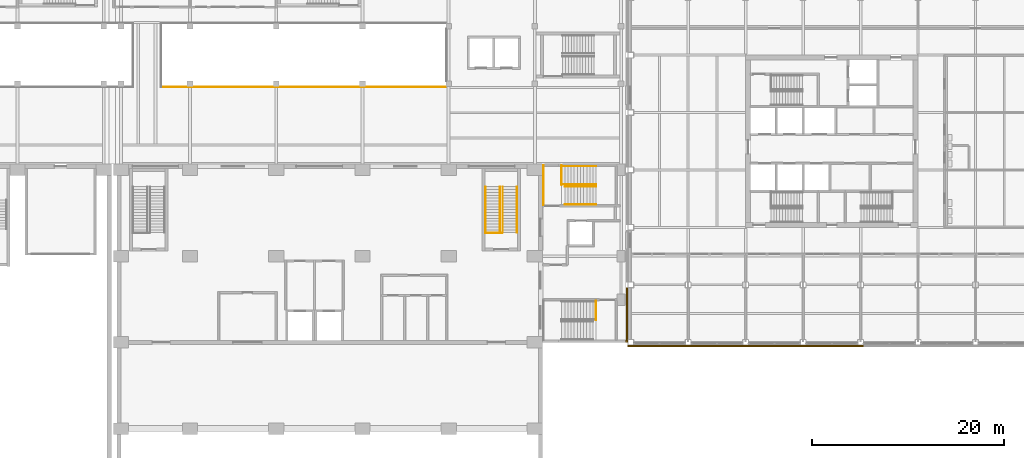
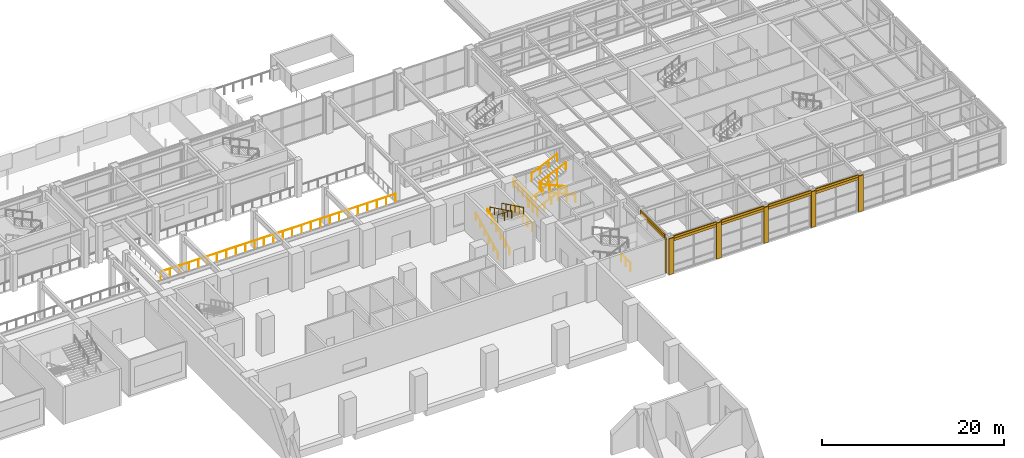
# One storey, part 59 of 67: 16 coverings, 16 railings.
"""IFC4 building model written with IfcOpenShell, lengths in metres."""

import ifcopenshell
import ifcopenshell.guid

model = None  # the IFC model being written
_history = None  # IfcOwnerHistory: only IFC2X3 demands one
_inside = {}  # id of a spatial element -> (the spatial element, [elements in it])
_under = {}  # id of a project, library or spatial element -> (it, [spatial elements below it])
_declared = {}  # id of a project -> (the project, [libraries it declares])
_typed = {}  # id of a type object -> (the type object, [elements of that type])
_made_of = {}  # id of a material, layer set ... -> (it, [elements and type objects made of it])


def new_model(schema):
    """Start an empty IFC model of exactly this schema.

    Asked for "IFC4X3", IfcOpenShell would pick the latest addendum, in which some entities
    have other attributes; the version numbers below select the first issue.
    IFC2X3 requires an IfcOwnerHistory on every rooted entity: one is made here for all.
    """
    global model, _history
    if schema == "IFC4X3":
        model = ifcopenshell.file(schema_version=(4, 3, 0, 0))
    else:
        model = ifcopenshell.file(schema=schema)
    _inside.clear()
    _under.clear()
    _declared.clear()
    _typed.clear()
    _made_of.clear()
    _history = None
    if model.schema == "IFC2X3":
        org = make("IfcOrganization", Name="unknown")
        user = make(
            "IfcPersonAndOrganization",
            ThePerson=make("IfcPerson", FamilyName="unknown"),
            TheOrganization=org,
        )
        app = make(
            "IfcApplication",
            ApplicationDeveloper=org,
            Version="unknown",
            ApplicationFullName="unknown",
            ApplicationIdentifier="unknown",
        )
        _history = make(
            "IfcOwnerHistory",
            OwningUser=user,
            OwningApplication=app,
            ChangeAction="ADDED",
            CreationDate=0,
        )
    return model


def make(cls, **values):
    """One entity of the class cls with the attributes given. An attribute that is None is left unset."""
    return model.create_entity(
        cls, **{name: value for name, value in values.items() if value is not None}
    )


def rooted(cls, **values):
    """An entity with a GlobalId (a new one), such as an element, a storey or a relation."""
    return make(cls, GlobalId=ifcopenshell.guid.new(), OwnerHistory=_history, **values)


def si_unit(unit_type, name, prefix=None):
    """IfcSIUnit, for example si_unit("LENGTHUNIT", "METRE", prefix="MILLI")."""
    return make("IfcSIUnit", UnitType=unit_type, Prefix=prefix, Name=name)


def assignment(units):
    """IfcUnitAssignment: the units of a project."""
    return None if units is None else make("IfcUnitAssignment", Units=units)


def point(xyz):
    """IfcCartesianPoint."""
    return None if xyz is None else make("IfcCartesianPoint", Coordinates=xyz)


def direction(xyz):
    """IfcDirection."""
    return None if xyz is None else make("IfcDirection", DirectionRatios=xyz)


def frame(location, z_axis=None, x_axis=None):
    """IfcAxis2Placement3D, a coordinate frame: its origin and axes. An axis left out is left unset."""
    return make(
        "IfcAxis2Placement3D",
        Location=point(location),
        Axis=direction(z_axis),
        RefDirection=direction(x_axis),
    )


def frame_2d(location, x_axis=None):
    """IfcAxis2Placement2D, a coordinate frame in the plane: its origin and x axis."""
    return make(
        "IfcAxis2Placement2D", Location=point(location), RefDirection=direction(x_axis)
    )


def origin():
    """The frame at (0, 0, 0) with its axes left unset."""
    return frame((0.0, 0.0, 0.0))


def origin_2d():
    """The frame at (0, 0) in the plane with its x axis left unset."""
    return frame_2d((0.0, 0.0))


def place(relative_to, where):
    """IfcLocalPlacement: puts the frame where relative to a parent placement (None: the world)."""
    return make(
        "IfcLocalPlacement", PlacementRelTo=relative_to, RelativePlacement=where
    )


def context(
    kind, dimensions, precision=None, world=None, true_north=None, identifier=None
):
    """IfcGeometricRepresentationContext, for example the 3D "Model" context."""
    return make(
        "IfcGeometricRepresentationContext",
        ContextIdentifier=identifier,
        ContextType=kind,
        CoordinateSpaceDimension=dimensions,
        Precision=precision,
        WorldCoordinateSystem=world,
        TrueNorth=true_north,
    )


def subcontext(parent, identifier, kind, view, scale=None):
    """IfcGeometricRepresentationSubContext, for example "Body" below "Model"."""
    return make(
        "IfcGeometricRepresentationSubContext",
        ContextIdentifier=identifier,
        ContextType=kind,
        ParentContext=parent,
        TargetScale=scale,
        TargetView=view,
    )


def project(units=None, contexts=None):
    """IfcProject with its units and contexts."""
    return rooted(
        "IfcProject",
        Name="project",
        RepresentationContexts=contexts,
        UnitsInContext=assignment(units),
    )


def spatial(cls, under=None, at=None, **own):
    """A site, building, storey or space (cls), placed at a placement, below another one or the project."""
    s = rooted(cls, ObjectPlacement=at, **own)
    if under is not None:
        _under.setdefault(under.id(), (under, []))[1].append(s)
    return s


def polyline(points):
    """IfcPolyline through the points."""
    return make("IfcPolyline", Points=[point(p) for p in points])


def profile(cls, at=None, kind="AREA", **sizes):
    """A parametric profile (cls). Its sizes go by their IFC names, for example OverallWidth=200.0."""
    return make(cls, ProfileType=kind, Position=at, **sizes)


def circle(**sizes):
    """IfcCircleProfileDef."""
    return profile("IfcCircleProfileDef", **sizes)


def outline(outer, holes=None, kind="AREA"):
    """IfcArbitraryClosedProfileDef: a profile drawn as a closed curve; with holes, ...WithVoids."""
    if holes is None:
        return make("IfcArbitraryClosedProfileDef", ProfileType=kind, OuterCurve=outer)
    return make(
        "IfcArbitraryProfileDefWithVoids",
        ProfileType=kind,
        OuterCurve=outer,
        InnerCurves=holes,
    )


def extrude(swept, where, along, depth):
    """IfcExtrudedAreaSolid: the profile swept, set in the frame where, extruded along a direction by depth."""
    return make(
        "IfcExtrudedAreaSolid",
        SweptArea=swept,
        Position=where,
        ExtrudedDirection=direction(along),
        Depth=depth,
    )


def shape(context_of_items, identifier, shape_type, items):
    """IfcShapeRepresentation: the items that make up one representation, for example the "Body"."""
    return make(
        "IfcShapeRepresentation",
        ContextOfItems=context_of_items,
        RepresentationIdentifier=identifier,
        RepresentationType=shape_type,
        Items=items,
    )


def material(Name=None, Category=None):
    """IfcMaterial."""
    return make("IfcMaterial", Name=Name, Category=Category)


def layer(
    of_material, thickness, ventilated=None, Name=None, Category=None, Priority=None
):
    """IfcMaterialLayer: one layer of a wall or slab, of a material (None: an air gap)."""
    return make(
        "IfcMaterialLayer",
        Material=of_material,
        LayerThickness=thickness,
        IsVentilated=ventilated,
        Name=Name,
        Category=Category,
        Priority=Priority,
    )


def layer_set(layers, Name=None):
    """IfcMaterialLayerSet."""
    return make("IfcMaterialLayerSet", MaterialLayers=layers, LayerSetName=Name)


def made_of(thing, what):
    """Note that an element or type object is made of a material, layer set ...; save() writes the relation."""
    if what is not None:
        _made_of.setdefault(what.id(), (what, []))[1].append(thing)
    return thing


def type_object(cls, material=None, **own):
    """A type object (cls), such as IfcWallType, which elements share."""
    return made_of(rooted(cls, **own), material)


def element(
    cls,
    number,
    at=None,
    inside=None,
    cuts=None,
    type_object=None,
    material=None,
    context=None,
    identifier="Body",
    shape_type=None,
    held_by="IfcProductDefinitionShape",
    body=None,
    shapes=None,
    **own,
):
    """One element of the class cls, such as IfcWall. Its Tag is "e" and its number.

    at: its placement. inside: the storey or other place that contains it. cuts: it is an
    opening in that element (IfcRelVoidsElement). A single representation is given by context,
    identifier, shape_type and body (its items); several are given by shapes. held_by: the class
    of the entity that holds the representations. save() writes the other relations.
    """
    e = rooted(cls, Tag="e%d" % number, ObjectPlacement=at, **own)
    if body is not None:
        shapes = [shape(context, identifier, shape_type, body)]
    if shapes is not None:
        e.Representation = make(held_by, Representations=shapes)
    if inside is not None:
        _inside.setdefault(inside.id(), (inside, []))[1].append(e)
    if cuts is not None:
        rooted(
            "IfcRelVoidsElement", RelatingBuildingElement=cuts, RelatedOpeningElement=e
        )
    if type_object is not None:
        _typed.setdefault(type_object.id(), (type_object, []))[1].append(e)
    return made_of(e, material)


def aggregate(whole, parts):
    """IfcRelAggregates: a whole, such as a stair, and the parts it consists of."""
    return rooted("IfcRelAggregates", RelatingObject=whole, RelatedObjects=parts)


def save(model, path):
    """Write the relations noted so far, then the file.

    IfcRelAggregates (storeys below a building ...), IfcRelContainedInSpatialStructure (elements
    in a storey), IfcRelDefinesByType, IfcRelAssociatesMaterial and IfcRelDeclares: one each for
    every whole, place, type object, material and project.
    """
    for whole, parts in _under.values():
        aggregate(whole, parts)
    for where, things in _inside.values():
        rooted(
            "IfcRelContainedInSpatialStructure",
            RelatedElements=things,
            RelatingStructure=where,
        )
    for kind, things in _typed.values():
        rooted("IfcRelDefinesByType", RelatedObjects=things, RelatingType=kind)
    for what, things in _made_of.values():
        rooted("IfcRelAssociatesMaterial", RelatedObjects=things, RelatingMaterial=what)
    for by, libraries in _declared.values():
        rooted("IfcRelDeclares", RelatingContext=by, RelatedDefinitions=libraries)
    model.write(path)


model = new_model("IFC4")

# Units and contexts
model_context = context("Model", 3, precision=1e-05, world=origin(), true_north=direction((0.0, 1.0)))
body_context = subcontext(model_context, "Body", "Model", "MODEL_VIEW")
ifc_project = project(units=[si_unit("LENGTHUNIT", "METRE"), si_unit("AREAUNIT", "SQUARE_METRE"), si_unit("VOLUMEUNIT", "CUBIC_METRE"), si_unit("PLANEANGLEUNIT", "RADIAN"), si_unit("MASSUNIT", "GRAM", prefix="KILO")], contexts=[model_context])

# Site, building, storey
site_placement = place(None, origin())
site = spatial("IfcSite", under=ifc_project, at=site_placement, CompositionType="ELEMENT")
building_placement = place(site_placement, origin())
building = spatial("IfcBuilding", under=site, at=building_placement, Name="Aravalli Gate Trade Fair Centre", CompositionType="ELEMENT")
storey_placement = place(building_placement, frame((0.0, 0.0, 5.0)))
storey = spatial("IfcBuildingStorey", under=building, at=storey_placement, Name="L01", CompositionType="ELEMENT", Elevation=5.0)

# Railings
ifc_material_1 = material(Name="Steel E350", Category="steel")
railing_type_1 = type_object("IfcRailingType", Name="Concourse guard 1100", PredefinedType="GUARDRAIL", material=ifc_material_1)
railing_1_placement = place(storey_placement, frame((110.949951171875, 117.64990234375, 0.0)))
element("IfcRailing", 1, at=railing_1_placement, inside=storey, type_object=railing_type_1, Name="Atrium guard S4 L01", PredefinedType="GUARDRAIL", context=body_context, shape_type="SweptSolid", body=[
    extrude(circle(Radius=0.02392578125, at=origin_2d()), frame((0.0, 0.0, 1.076171875), z_axis=(1.0, 0.0, 0.0), x_axis=(0.0, 1.0, 0.0)), (0.0, 0.0, 1.0), 29.75),
    extrude(circle(Radius=0.02099609375, at=origin_2d()), origin(), (0.0, 0.0, 1.0), 1.052001953125),
    extrude(circle(Radius=0.02099609375, at=origin_2d()), frame((1.18994140625, 0.0, 0.0)), (0.0, 0.0, 1.0), 1.052001953125),
    extrude(circle(Radius=0.02099609375, at=origin_2d()), frame((2.3798828125, 0.0, 0.0)), (0.0, 0.0, 1.0), 1.052001953125),
    extrude(circle(Radius=0.02099609375, at=origin_2d()), frame((3.570068359375, 0.0, 0.0)), (0.0, 0.0, 1.0), 1.052001953125),
    extrude(circle(Radius=0.02099609375, at=origin_2d()), frame((4.760009765625, 0.0, 0.0)), (0.0, 0.0, 1.0), 1.052001953125),
    extrude(circle(Radius=0.02099609375, at=origin_2d()), frame((5.949951171875, 0.0, 0.0)), (0.0, 0.0, 1.0), 1.052001953125),
    extrude(circle(Radius=0.02099609375, at=origin_2d()), frame((7.139892578125, 0.0, 0.0)), (0.0, 0.0, 1.0), 1.052001953125),
    extrude(circle(Radius=0.02099609375, at=origin_2d()), frame((8.330078125, 0.0, 0.0)), (0.0, 0.0, 1.0), 1.052001953125),
    extrude(circle(Radius=0.02099609375, at=origin_2d()), frame((9.52001953125, 0.0, 0.0)), (0.0, 0.0, 1.0), 1.052001953125),
    extrude(circle(Radius=0.02099609375, at=origin_2d()), frame((10.7099609375, 0.0, 0.0)), (0.0, 0.0, 1.0), 1.052001953125),
    extrude(circle(Radius=0.02099609375, at=origin_2d()), frame((11.89990234375, 0.0, 0.0)), (0.0, 0.0, 1.0), 1.052001953125),
    extrude(circle(Radius=0.02099609375, at=origin_2d()), frame((13.090087890625, 0.0, 0.0)), (0.0, 0.0, 1.0), 1.052001953125),
    extrude(circle(Radius=0.02099609375, at=origin_2d()), frame((14.280029296875, 0.0, 0.0)), (0.0, 0.0, 1.0), 1.052001953125),
    extrude(circle(Radius=0.02099609375, at=origin_2d()), frame((15.469970703125, 0.0, 0.0)), (0.0, 0.0, 1.0), 1.052001953125),
    extrude(circle(Radius=0.02099609375, at=origin_2d()), frame((16.659912109375, 0.0, 0.0)), (0.0, 0.0, 1.0), 1.052001953125),
    extrude(circle(Radius=0.02099609375, at=origin_2d()), frame((17.85009765625, 0.0, 0.0)), (0.0, 0.0, 1.0), 1.052001953125),
    extrude(circle(Radius=0.02099609375, at=origin_2d()), frame((19.0400390625, 0.0, 0.0)), (0.0, 0.0, 1.0), 1.052001953125),
    extrude(circle(Radius=0.02099609375, at=origin_2d()), frame((20.22998046875, 0.0, 0.0)), (0.0, 0.0, 1.0), 1.052001953125),
    extrude(circle(Radius=0.02099609375, at=origin_2d()), frame((21.419921875, 0.0, 0.0)), (0.0, 0.0, 1.0), 1.052001953125),
    extrude(circle(Radius=0.02099609375, at=origin_2d()), frame((22.610107421875, 0.0, 0.0)), (0.0, 0.0, 1.0), 1.052001953125),
    extrude(circle(Radius=0.02099609375, at=origin_2d()), frame((23.800048828125, 0.0, 0.0)), (0.0, 0.0, 1.0), 1.052001953125),
    extrude(circle(Radius=0.02099609375, at=origin_2d()), frame((24.989990234375, 0.0, 0.0)), (0.0, 0.0, 1.0), 1.052001953125),
    extrude(circle(Radius=0.02099609375, at=origin_2d()), frame((26.179931640625, 0.0, 0.0)), (0.0, 0.0, 1.0), 1.052001953125),
    extrude(circle(Radius=0.02099609375, at=origin_2d()), frame((27.3701171875, 0.0, 0.0)), (0.0, 0.0, 1.0), 1.052001953125),
    extrude(circle(Radius=0.02099609375, at=origin_2d()), frame((28.56005859375, 0.0, 0.0)), (0.0, 0.0, 1.0), 1.052001953125),
    extrude(circle(Radius=0.02099609375, at=origin_2d()), frame((29.75, 0.0, 0.0)), (0.0, 0.0, 1.0), 1.052001953125),
])
railing_type_2 = type_object("IfcRailingType", Name="Congress stair guard 1100", PredefinedType="GUARDRAIL", material=ifc_material_1)
railing_2_placement = place(storey_placement, frame((144.830078125, 102.39990234375, 5.0)))
element("IfcRailing", 2, at=railing_2_placement, inside=storey, type_object=railing_type_2, Name="Guard GS4 head", PredefinedType="GUARDRAIL", context=body_context, shape_type="SweptSolid", body=[
    extrude(circle(Radius=0.02392578125, at=origin_2d()), frame((0.0, 0.0, 1.076171875), z_axis=(1.0, 0.0, 0.0), x_axis=(0.0, 1.0, 0.0)), (0.0, 0.0, 1.0), 1.739990234375),
    extrude(circle(Radius=0.02099609375, at=origin_2d()), origin(), (0.0, 0.0, 1.0), 1.052001953125),
    extrude(circle(Radius=0.02099609375, at=origin_2d()), frame((0.8701171875, 0.0, 0.0)), (0.0, 0.0, 1.0), 1.052001953125),
    extrude(circle(Radius=0.02099609375, at=origin_2d()), frame((1.739990234375, 0.0, 0.0)), (0.0, 0.0, 1.0), 1.052001953125),
])
railing_type_3 = type_object("IfcRailingType", Name="Congress stair handrail 900", PredefinedType="HANDRAIL", material=ifc_material_1)
for number, where, name in (
    (3, (144.8701171875, 102.449951171875, 0.147216796875), "Handrail GS4 L01 1"),
    (4, (146.35009765625, 102.449951171875, 0.147216796875), "Handrail GS4 L01 2"),
):
    element("IfcRailing", number, at=place(storey_placement, frame(where)), inside=storey, type_object=railing_type_3, Name=name, PredefinedType="HANDRAIL", context=body_context, shape_type="SweptSolid", body=[
        extrude(circle(Radius=0.02392578125, at=origin_2d()), frame((0.0, 0.0, 0.8759765625), z_axis=(0.0, 0.89793417156, 0.440129780343), x_axis=(-1.0, 0.0, 0.0)), (0.0, 0.0, 1.0), 5.345703125),
        extrude(circle(Radius=0.02099609375, at=origin_2d()), origin(), (0.0, 0.0, 1.0), 0.851806640625),
        extrude(circle(Radius=0.02099609375, at=origin_2d()), frame((0.0, 0.9599609375, 0.470458984375)), (0.0, 0.0, 1.0), 0.851806640625),
        extrude(circle(Radius=0.02099609375, at=origin_2d()), frame((0.0, 1.919921875, 0.941162109375)), (0.0, 0.0, 1.0), 0.851806640625),
        extrude(circle(Radius=0.02099609375, at=origin_2d()), frame((0.0, 2.880126953125, 1.41162109375)), (0.0, 0.0, 1.0), 0.851806640625),
        extrude(circle(Radius=0.02099609375, at=origin_2d()), frame((0.0, 3.840087890625, 1.88232421875)), (0.0, 0.0, 1.0), 0.851806640625),
        extrude(circle(Radius=0.02099609375, at=origin_2d()), frame((0.0, 4.800048828125, 2.352783203125)), (0.0, 0.0, 1.0), 0.851806640625),
    ])
for number, where, name in (
    (5, (148.1298828125, 107.25, 2.647216796875), "Handrail GS4 L01 3"),
    (6, (146.64990234375, 107.25, 2.647216796875), "Handrail GS4 L01 4"),
):
    element("IfcRailing", number, at=place(storey_placement, frame(where)), inside=storey, type_object=railing_type_3, Name=name, PredefinedType="HANDRAIL", context=body_context, shape_type="SweptSolid", body=[
        extrude(circle(Radius=0.02392578125, at=origin_2d()), frame((0.0, 0.0, 0.8759765625), z_axis=(0.0, -0.89793417156, 0.440129780343), x_axis=(1.0, 0.0, 0.0)), (0.0, 0.0, 1.0), 5.345703125),
        extrude(circle(Radius=0.02099609375, at=origin_2d()), origin(), (0.0, 0.0, 1.0), 0.851806640625),
        extrude(circle(Radius=0.02099609375, at=origin_2d()), frame((0.0, -0.9599609375, 0.470458984375)), (0.0, 0.0, 1.0), 0.851806640625),
        extrude(circle(Radius=0.02099609375, at=origin_2d()), frame((0.0, -1.919921875, 0.941162109375)), (0.0, 0.0, 1.0), 0.851806640625),
        extrude(circle(Radius=0.02099609375, at=origin_2d()), frame((0.0, -2.880126953125, 1.41162109375)), (0.0, 0.0, 1.0), 0.851806640625),
        extrude(circle(Radius=0.02099609375, at=origin_2d()), frame((0.0, -3.840087890625, 1.88232421875)), (0.0, 0.0, 1.0), 0.851806640625),
        extrude(circle(Radius=0.02099609375, at=origin_2d()), frame((0.0, -4.800048828125, 2.352783203125)), (0.0, 0.0, 1.0), 0.851806640625),
    ])

# Coverings
ifc_material_2 = material(Name="Stainless steel joint cover", Category="steel")
ifc_layer_1 = layer(ifc_material_2, 0.199951171875)
ifc_layer_set_1 = layer_set([ifc_layer_1], Name="Stainless steel joint cover")
covering_type_1 = type_object("IfcCoveringType", Name="Link seismic joint cover 200", PredefinedType="CLADDING", material=ifc_layer_set_1)
covering_1_placement = place(storey_placement, origin())
element("IfcCovering", 7, at=covering_1_placement, inside=storey, type_object=covering_type_1, Name="Seismic joint cover L01", PredefinedType="CLADDING", context=body_context, shape_type="SweptSolid", body=[
    extrude(outline(polyline([(159.5, 91.0), (159.699951171875, 91.0), (159.699951171875, 91.25), (159.5, 91.25), (159.5, 91.0)])), origin(), (0.0, 0.0, 1.0), 4.590087890625),
])
ifc_material_3 = material(Name="Dholpur sandstone", Category="masonry")
ifc_layer_2 = layer(ifc_material_3, 0.14990234375)
ifc_layer_set_2 = layer_set([ifc_layer_2], Name="Dholpur sandstone")
covering_type_2 = type_object("IfcCoveringType", Name="Wing sandstone pier casing 150", PredefinedType="CLADDING", material=ifc_layer_set_2)
covering_2_placement = place(storey_placement, origin())
element("IfcCovering", 8, at=covering_2_placement, inside=storey, type_object=covering_type_2, Name="Pier casing 18F S L01", PredefinedType="CLADDING", context=body_context, shape_type="SweptSolid", body=[
    extrude(outline(polyline([(159.699951171875, 90.550048828125), (160.300048828125, 90.550048828125), (160.300048828125, 90.699951171875), (159.699951171875, 90.699951171875), (159.699951171875, 90.550048828125)])), origin(), (0.0, 0.0, 1.0), 4.800048828125),
])
covering_3_placement = place(storey_placement, origin())
element("IfcCovering", 9, at=covering_3_placement, inside=storey, type_object=covering_type_2, Name="Pier casing 19F S L01", PredefinedType="CLADDING", context=body_context, shape_type="SweptSolid", body=[
    extrude(outline(polyline([(165.699951171875, 90.550048828125), (166.300048828125, 90.550048828125), (166.300048828125, 90.699951171875), (165.699951171875, 90.699951171875), (165.699951171875, 90.550048828125)])), origin(), (0.0, 0.0, 1.0), 4.800048828125),
])
covering_4_placement = place(storey_placement, origin())
element("IfcCovering", 10, at=covering_4_placement, inside=storey, type_object=covering_type_2, Name="Pier casing 20F S L01", PredefinedType="CLADDING", context=body_context, shape_type="SweptSolid", body=[
    extrude(outline(polyline([(171.699951171875, 90.550048828125), (172.300048828125, 90.550048828125), (172.300048828125, 90.699951171875), (171.699951171875, 90.699951171875), (171.699951171875, 90.550048828125)])), origin(), (0.0, 0.0, 1.0), 4.800048828125),
])
covering_5_placement = place(storey_placement, origin())
element("IfcCovering", 11, at=covering_5_placement, inside=storey, type_object=covering_type_2, Name="Pier casing 21F S L01", PredefinedType="CLADDING", context=body_context, shape_type="SweptSolid", body=[
    extrude(outline(polyline([(177.699951171875, 90.550048828125), (178.300048828125, 90.550048828125), (178.300048828125, 90.699951171875), (177.699951171875, 90.699951171875), (177.699951171875, 90.550048828125)])), origin(), (0.0, 0.0, 1.0), 4.800048828125),
])
covering_6_placement = place(storey_placement, origin())
element("IfcCovering", 12, at=covering_6_placement, inside=storey, type_object=covering_type_2, Name="Pier casing 22F S L01", PredefinedType="CLADDING", context=body_context, shape_type="SweptSolid", body=[
    extrude(outline(polyline([(183.699951171875, 90.550048828125), (184.300048828125, 90.550048828125), (184.300048828125, 90.699951171875), (183.699951171875, 90.699951171875), (183.699951171875, 90.550048828125)])), origin(), (0.0, 0.0, 1.0), 4.800048828125),
])
ifc_material_4 = material(Name="Glazed terracotta", Category="masonry")
ifc_layer_3 = layer(ifc_material_4, 0.14501953125)
ifc_layer_set_3 = layer_set([ifc_layer_3], Name="Glazed terracotta")
covering_type_3 = type_object("IfcCoveringType", Name="Wing spandrel band 145", PredefinedType="CLADDING", material=ifc_layer_set_3)
covering_7_placement = place(storey_placement, frame((0.0, 0.0, 4.35009765625)))
element("IfcCovering", 13, at=covering_7_placement, inside=storey, type_object=covering_type_3, Name="Spandrel band S0 L01", PredefinedType="CLADDING", context=body_context, shape_type="SweptSolid", body=[
    extrude(outline(polyline([(160.300048828125, 90.550048828125), (165.699951171875, 90.550048828125), (165.699951171875, 90.695068359375), (160.300048828125, 90.695068359375), (160.300048828125, 90.550048828125)])), origin(), (0.0, 0.0, 1.0), 0.349853515625),
])
covering_8_placement = place(storey_placement, frame((0.0, 0.0, 4.35009765625)))
element("IfcCovering", 14, at=covering_8_placement, inside=storey, type_object=covering_type_3, Name="Spandrel band S1 L01", PredefinedType="CLADDING", context=body_context, shape_type="SweptSolid", body=[
    extrude(outline(polyline([(166.300048828125, 90.550048828125), (171.699951171875, 90.550048828125), (171.699951171875, 90.695068359375), (166.300048828125, 90.695068359375), (166.300048828125, 90.550048828125)])), origin(), (0.0, 0.0, 1.0), 0.349853515625),
])
covering_9_placement = place(storey_placement, frame((0.0, 0.0, 4.35009765625)))
element("IfcCovering", 15, at=covering_9_placement, inside=storey, type_object=covering_type_3, Name="Spandrel band S2 L01", PredefinedType="CLADDING", context=body_context, shape_type="SweptSolid", body=[
    extrude(outline(polyline([(172.300048828125, 90.550048828125), (177.699951171875, 90.550048828125), (177.699951171875, 90.695068359375), (172.300048828125, 90.695068359375), (172.300048828125, 90.550048828125)])), origin(), (0.0, 0.0, 1.0), 0.349853515625),
])
covering_10_placement = place(storey_placement, frame((0.0, 0.0, 4.35009765625)))
element("IfcCovering", 16, at=covering_10_placement, inside=storey, type_object=covering_type_3, Name="Spandrel band S3 L01", PredefinedType="CLADDING", context=body_context, shape_type="SweptSolid", body=[
    extrude(outline(polyline([(178.300048828125, 90.550048828125), (183.699951171875, 90.550048828125), (183.699951171875, 90.695068359375), (178.300048828125, 90.695068359375), (178.300048828125, 90.550048828125)])), origin(), (0.0, 0.0, 1.0), 0.349853515625),
])
covering_11_placement = place(storey_placement, frame((0.0, 0.0, 4.35009765625)))
element("IfcCovering", 17, at=covering_11_placement, inside=storey, type_object=covering_type_3, Name="Spandrel band W0 L01", PredefinedType="CLADDING", context=body_context, shape_type="SweptSolid", body=[
    extrude(outline(polyline([(159.550048828125, 91.300048828125), (159.695068359375, 91.300048828125), (159.695068359375, 96.699951171875), (159.550048828125, 96.699951171875), (159.550048828125, 91.300048828125)])), origin(), (0.0, 0.0, 1.0), 0.349853515625),
])

# Railings
railing_type_4 = type_object("IfcRailingType", Name="Wing stair handrail", PredefinedType="HANDRAIL", material=ifc_material_1)
for number, where, name in (
    (18, (152.802978515625, 107.510009765625, 0.14697265625), "Handrail LB L01 1a"),
    (19, (152.802978515625, 109.389892578125, 0.14697265625), "Handrail LB L01 1b"),
):
    element("IfcRailing", number, at=place(storey_placement, frame(where)), inside=storey, type_object=railing_type_4, Name=name, PredefinedType="HANDRAIL", context=body_context, shape_type="SweptSolid", body=[
        extrude(circle(Radius=0.02392578125, at=origin_2d()), frame((0.0, 0.0, 0.92578125), z_axis=(0.91201066968, 0.0, 0.410166476434), x_axis=(0.0, 1.0, 0.0)), (0.0, 0.0, 1.0), 3.94384765625),
        extrude(circle(Radius=0.02099609375, at=origin_2d()), origin(), (0.0, 0.0, 1.0), 0.90185546875),
        extrude(circle(Radius=0.02099609375, at=origin_2d()), frame((0.899169921875, 0.0, 0.404296875)), (0.0, 0.0, 1.0), 0.90185546875),
        extrude(circle(Radius=0.02099609375, at=origin_2d()), frame((1.79833984375, 0.0, 0.808837890625)), (0.0, 0.0, 1.0), 0.90185546875),
        extrude(circle(Radius=0.02099609375, at=origin_2d()), frame((2.69775390625, 0.0, 1.21337890625)), (0.0, 0.0, 1.0), 0.90185546875),
        extrude(circle(Radius=0.02099609375, at=origin_2d()), frame((3.596923828125, 0.0, 1.61767578125)), (0.0, 0.0, 1.0), 0.90185546875),
    ])
for number, where, name in (
    (20, (156.39990234375, 105.409912109375, 1.911865234375), "Handrail LB L01 2a"),
    (21, (156.39990234375, 107.2900390625, 1.911865234375), "Handrail LB L01 2b"),
):
    element("IfcRailing", number, at=place(storey_placement, frame(where)), inside=storey, type_object=railing_type_4, Name=name, PredefinedType="HANDRAIL", context=body_context, shape_type="SweptSolid", body=[
        extrude(circle(Radius=0.02392578125, at=origin_2d()), frame((0.0, 0.0, 0.92578125), z_axis=(-0.912031043563, 0.0, 0.410121171822), x_axis=(0.0, -1.0, 0.0)), (0.0, 0.0, 1.0), 3.58544921875),
        extrude(circle(Radius=0.02099609375, at=origin_2d()), origin(), (0.0, 0.0, 1.0), 0.90185546875),
        extrude(circle(Radius=0.02099609375, at=origin_2d()), frame((-1.090087890625, 0.0, 0.490234375)), (0.0, 0.0, 1.0), 0.90185546875),
        extrude(circle(Radius=0.02099609375, at=origin_2d()), frame((-2.179931640625, 0.0, 0.980224609375)), (0.0, 0.0, 1.0), 0.90185546875),
        extrude(circle(Radius=0.02099609375, at=origin_2d()), frame((-3.27001953125, 0.0, 1.470458984375)), (0.0, 0.0, 1.0), 0.90185546875),
    ])
for number, where, name in (
    (22, (153.1298828125, 107.510009765625, 3.529296875), "Handrail LB L01 3a"),
    (23, (153.1298828125, 109.389892578125, 3.529296875), "Handrail LB L01 3b"),
):
    element("IfcRailing", number, at=place(storey_placement, frame(where)), inside=storey, type_object=railing_type_4, Name=name, PredefinedType="HANDRAIL", context=body_context, shape_type="SweptSolid", body=[
        extrude(circle(Radius=0.02392578125, at=origin_2d()), frame((0.0, 0.0, 0.92578125), z_axis=(0.912005572974, 0.0, 0.410177808839), x_axis=(0.0, 1.0, 0.0)), (0.0, 0.0, 1.0), 3.58544921875),
        extrude(circle(Radius=0.02099609375, at=origin_2d()), origin(), (0.0, 0.0, 1.0), 0.90185546875),
        extrude(circle(Radius=0.02099609375, at=origin_2d()), frame((1.090087890625, 0.0, 0.490234375)), (0.0, 0.0, 1.0), 0.90185546875),
        extrude(circle(Radius=0.02099609375, at=origin_2d()), frame((2.179931640625, 0.0, 0.98046875)), (0.0, 0.0, 1.0), 0.90185546875),
        extrude(circle(Radius=0.02099609375, at=origin_2d()), frame((3.27001953125, 0.0, 1.470703125)), (0.0, 0.0, 1.0), 0.90185546875),
    ])
railing_type_5 = type_object("IfcRailingType", Name="Wing stair roof guard", PredefinedType="GUARDRAIL", material=ifc_material_1)
for number, where, name in (
    (24, (156.39697265625, 93.35009765625, 0.0), "Guard LA landing L01"),
    (25, (152.802978515625, 107.449951171875, 0.0), "Guard LB landing L01"),
):
    element("IfcRailing", number, at=place(storey_placement, frame(where)), inside=storey, type_object=railing_type_5, Name=name, PredefinedType="GUARDRAIL", context=body_context, shape_type="SweptSolid", body=[
        extrude(circle(Radius=0.02392578125, at=origin_2d()), frame((0.0, 0.0, 1.076171875), z_axis=(0.0, 1.0, 0.0), x_axis=(-1.0, 0.0, 0.0)), (0.0, 0.0, 1.0), 2.0),
        extrude(circle(Radius=0.02099609375, at=origin_2d()), origin(), (0.0, 0.0, 1.0), 1.052001953125),
        extrude(circle(Radius=0.02099609375, at=origin_2d()), frame((0.0, 1.0, 0.0)), (0.0, 0.0, 1.0), 1.052001953125),
        extrude(circle(Radius=0.02099609375, at=origin_2d()), frame((0.0, 2.0, 0.0)), (0.0, 0.0, 1.0), 1.052001953125),
    ])
for number, where, name in (
    (26, (150.89990234375, 105.35009765625, 0.0), "Guard LB landing L01 west edge 1"),
    (27, (150.89990234375, 105.35009765625, 3.38232421875), "Guard LB landing L01 west edge 3"),
):
    element("IfcRailing", number, at=place(storey_placement, frame(where)), inside=storey, type_object=railing_type_5, Name=name, PredefinedType="GUARDRAIL", context=body_context, shape_type="SweptSolid", body=[
        extrude(circle(Radius=0.02392578125, at=origin_2d()), frame((0.0, 0.0, 1.076171875), z_axis=(0.0, 1.0, 0.0), x_axis=(-1.0, 0.0, 0.0)), (0.0, 0.0, 1.0), 4.099853515625),
        extrude(circle(Radius=0.02099609375, at=origin_2d()), origin(), (0.0, 0.0, 1.0), 1.052001953125),
        extrude(circle(Radius=0.02099609375, at=origin_2d()), frame((0.0, 1.02490234375, 0.0)), (0.0, 0.0, 1.0), 1.052001953125),
        extrude(circle(Radius=0.02099609375, at=origin_2d()), frame((0.0, 2.0498046875, 0.0)), (0.0, 0.0, 1.0), 1.052001953125),
        extrude(circle(Radius=0.02099609375, at=origin_2d()), frame((0.0, 3.074951171875, 0.0)), (0.0, 0.0, 1.0), 1.052001953125),
        extrude(circle(Radius=0.02099609375, at=origin_2d()), frame((0.0, 4.099853515625, 0.0)), (0.0, 0.0, 1.0), 1.052001953125),
    ])

# Coverings
ifc_layer_4 = layer(ifc_material_3, 0.14501953125)
ifc_layer_set_4 = layer_set([ifc_layer_4], Name="Dholpur sandstone")
covering_type_4 = type_object("IfcCoveringType", Name="Wing stone spandrel band 145", PredefinedType="CLADDING", material=ifc_layer_set_4)
covering_12_placement = place(storey_placement, frame((0.0, 0.0, 4.699951171875)))
element("IfcCovering", 28, at=covering_12_placement, inside=storey, type_object=covering_type_4, Name="Stone spandrel band S0 L01", PredefinedType="CLADDING", context=body_context, shape_type="SweptSolid", body=[
    extrude(outline(polyline([(160.300048828125, 90.550048828125), (165.699951171875, 90.550048828125), (165.699951171875, 90.695068359375), (160.300048828125, 90.695068359375), (160.300048828125, 90.550048828125)])), origin(), (0.0, 0.0, 1.0), 0.300048828125),
])
covering_13_placement = place(storey_placement, frame((0.0, 0.0, 4.699951171875)))
element("IfcCovering", 29, at=covering_13_placement, inside=storey, type_object=covering_type_4, Name="Stone spandrel band S1 L01", PredefinedType="CLADDING", context=body_context, shape_type="SweptSolid", body=[
    extrude(outline(polyline([(166.300048828125, 90.550048828125), (171.699951171875, 90.550048828125), (171.699951171875, 90.695068359375), (166.300048828125, 90.695068359375), (166.300048828125, 90.550048828125)])), origin(), (0.0, 0.0, 1.0), 0.300048828125),
])
covering_14_placement = place(storey_placement, frame((0.0, 0.0, 4.699951171875)))
element("IfcCovering", 30, at=covering_14_placement, inside=storey, type_object=covering_type_4, Name="Stone spandrel band S2 L01", PredefinedType="CLADDING", context=body_context, shape_type="SweptSolid", body=[
    extrude(outline(polyline([(172.300048828125, 90.550048828125), (177.699951171875, 90.550048828125), (177.699951171875, 90.695068359375), (172.300048828125, 90.695068359375), (172.300048828125, 90.550048828125)])), origin(), (0.0, 0.0, 1.0), 0.300048828125),
])
covering_15_placement = place(storey_placement, frame((0.0, 0.0, 4.699951171875)))
element("IfcCovering", 31, at=covering_15_placement, inside=storey, type_object=covering_type_4, Name="Stone spandrel band S3 L01", PredefinedType="CLADDING", context=body_context, shape_type="SweptSolid", body=[
    extrude(outline(polyline([(178.300048828125, 90.550048828125), (183.699951171875, 90.550048828125), (183.699951171875, 90.695068359375), (178.300048828125, 90.695068359375), (178.300048828125, 90.550048828125)])), origin(), (0.0, 0.0, 1.0), 0.300048828125),
])
covering_16_placement = place(storey_placement, frame((0.0, 0.0, 4.699951171875)))
element("IfcCovering", 32, at=covering_16_placement, inside=storey, type_object=covering_type_4, Name="Stone spandrel band W0 L01", PredefinedType="CLADDING", context=body_context, shape_type="SweptSolid", body=[
    extrude(outline(polyline([(159.550048828125, 91.300048828125), (159.695068359375, 91.300048828125), (159.695068359375, 96.699951171875), (159.550048828125, 96.699951171875), (159.550048828125, 91.300048828125)])), origin(), (0.0, 0.0, 1.0), 0.300048828125),
])

save(model, "model.ifc")
